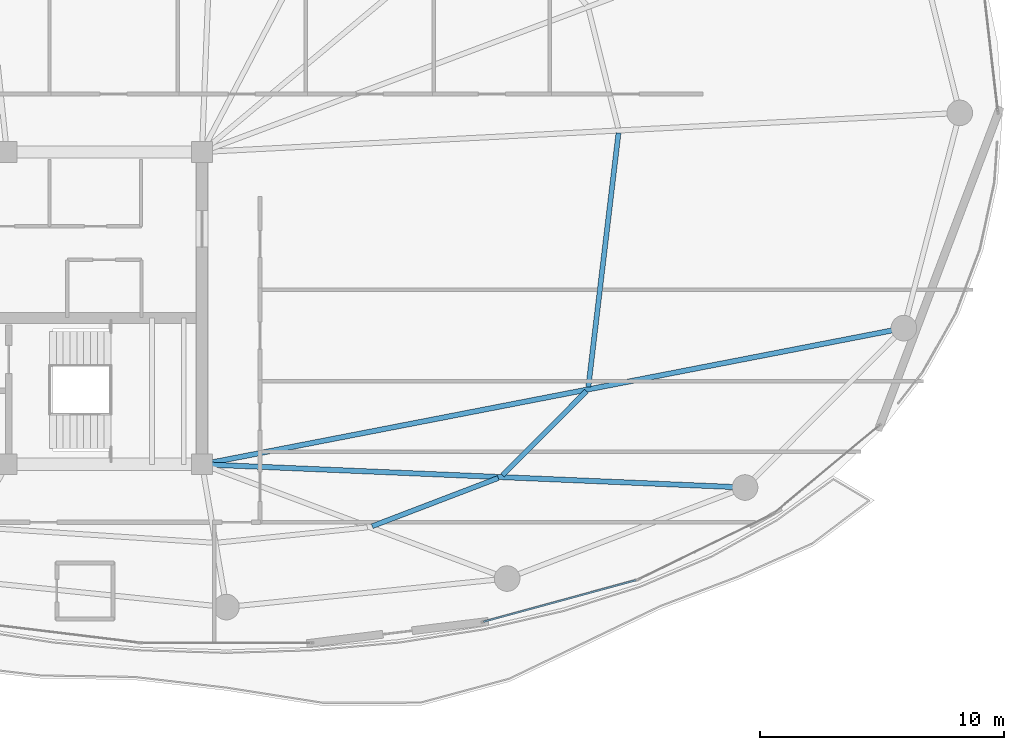
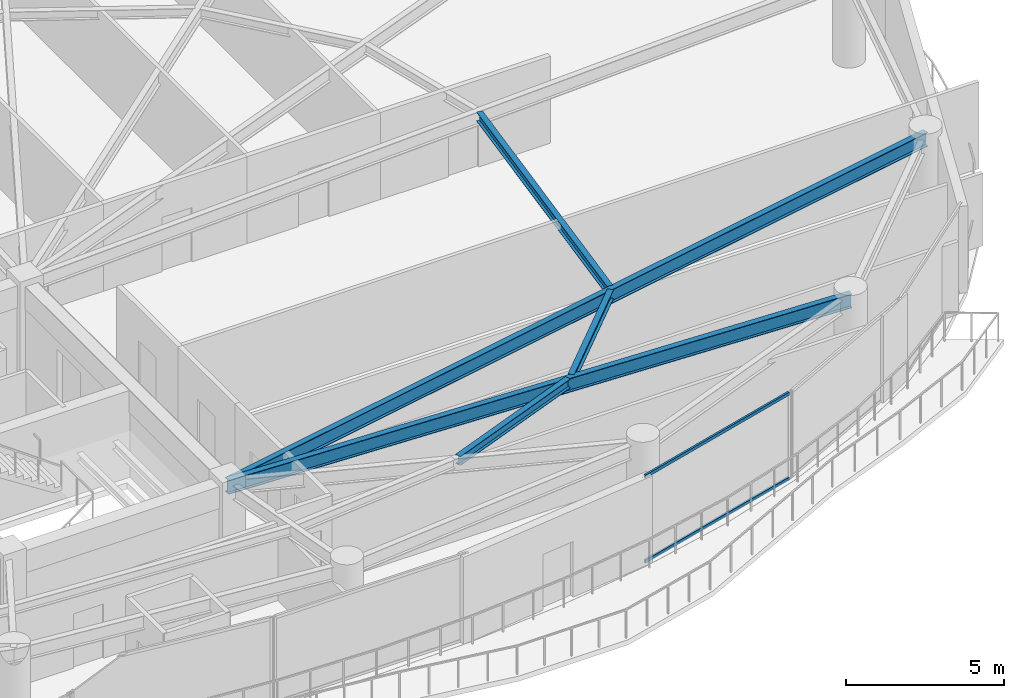
# One storey, part 12 of 31: 5 beams, 2 members, 1 element without a shape of its own.
"""IFC4 building model written with IfcOpenShell, lengths in metres."""

from ifc_helpers import new_model, si_unit, direction, frame, origin, origin_2d, place, context, subcontext, project, spatial, hollow_rectangle, i_section, extrude, material, layer, layer_set, material_profile, profile_set, type_object, element, aggregate, save


model = new_model("IFC4")

# Units and contexts
model_context = context("Model", 3, precision=1e-05, world=origin(), true_north=direction((0.0, 1.0)))
body_context = subcontext(model_context, "Body", "Model", "MODEL_VIEW")
ifc_project = project(units=[si_unit("LENGTHUNIT", "METRE"), si_unit("AREAUNIT", "SQUARE_METRE"), si_unit("VOLUMEUNIT", "CUBIC_METRE"), si_unit("PLANEANGLEUNIT", "RADIAN"), si_unit("MASSUNIT", "GRAM", prefix="KILO")], contexts=[model_context])

# Site, building, storey
site_placement = place(None, origin())
site = spatial("IfcSite", under=ifc_project, at=site_placement, CompositionType="ELEMENT")
building_placement = place(site_placement, origin())
building = spatial("IfcBuilding", under=site, at=building_placement, Name="Kazevale Care Tower and Concert Hall", CompositionType="ELEMENT")
storey_placement = place(building_placement, frame((0.0, 0.0, 235.199951171875)))
storey = spatial("IfcBuildingStorey", under=building, at=storey_placement, Name="L62", CompositionType="ELEMENT", Elevation=235.199951171875)

# Curtain wall, members
ifc_material_1 = material(Name="Aluminium 6063-T6 and Low-E Glass", Category="aluminium")
ifc_layer = layer(ifc_material_1, 0.179931640625)
ifc_layer_set = layer_set([ifc_layer], Name="Aluminium 6063-T6 and Low-E Glass")
curtain_wall_type = type_object("IfcCurtainWallType", Name="Sheltered Concave Balcony Curtain Wall CW-5", PredefinedType="NOTDEFINED", material=ifc_layer_set)
curtain_wall_placement = place(storey_placement, origin())
curtain_wall = element("IfcCurtainWall", 1, at=curtain_wall_placement, inside=storey, type_object=curtain_wall_type, Name="cw:L62:f04", PredefinedType="NOTDEFINED")
ifc_material_2 = material(Name="Aluminium 6063-T6", Category="aluminium")
ifc_material_profile_1 = material_profile(ifc_material_2, hollow_rectangle(XDim=0.074951171875, YDim=0.1201171875, WallThickness=0.00390625, at=origin_2d()), Name="ALU75x120x4")
ifc_profile_set_1 = profile_set([ifc_material_profile_1], Name="Aluminium 6063-T6")
member_type = type_object("IfcMemberType", Name="CW-5 Transom ALU75x120x4", PredefinedType="USERDEFINED", material=ifc_profile_set_1)
member_1_placement = place(storey_placement, frame((61.78369140625, 18.853271484375, 0.03759765625), z_axis=(-0.964843890632, -0.262823641842, 0.0), x_axis=(0.262823641842, -0.964843890632, 0.0)))
member_1 = element("IfcMember", 2, at=member_1_placement, type_object=member_type, Name="CW-5 transom 1.1", ObjectType="TRANSOM", PredefinedType="USERDEFINED", context=body_context, shape_type="SweptSolid", body=[
    extrude(hollow_rectangle(XDim=0.074951171875, YDim=0.1201171875, WallThickness=0.00390625, at=origin_2d()), origin(), (0.0, 0.0, 1.0), 6.469970703125),
])
member_2_placement = place(storey_placement, frame((61.78369140625, 18.853271484375, 3.322509765625), z_axis=(-0.964843890632, -0.262823641842, 0.0), x_axis=(0.262823641842, -0.964843890632, 0.0)))
member_2 = element("IfcMember", 3, at=member_2_placement, type_object=member_type, Name="CW-5 transom 1.2", ObjectType="TRANSOM", PredefinedType="USERDEFINED", context=body_context, shape_type="SweptSolid", body=[
    extrude(hollow_rectangle(XDim=0.074951171875, YDim=0.1201171875, WallThickness=0.00390625, at=origin_2d()), origin(), (0.0, 0.0, 1.0), 6.469970703125),
])
aggregate(curtain_wall, [member_1, member_2])

# Beams
ifc_material_3 = material(Name="Steel ASTM A572 Gr 50", Category="steel")
ifc_material_profile_2 = material_profile(ifc_material_3, i_section(OverallWidth=0.2119140625, OverallDepth=0.5439453125, WebThickness=0.01318359375, FlangeThickness=0.021240234375, at=origin_2d()), Name="W530x123")
ifc_profile_set_2 = profile_set([ifc_material_profile_2], Name="Steel ASTM A572 Gr 50")
beam_type_1 = type_object("IfcBeamType", Name="Radial Floor Girder W530x123", PredefinedType="BEAM", material=ifc_profile_set_2)
beam_1_placement = place(storey_placement, frame((44.0, 23.60009765625, 3.088134765625), z_axis=(0.999089369477, -0.042666518456, 0.0), x_axis=(0.042666518456, 0.999089369477, 0.0)))
element("IfcBeam", 4, at=beam_1_placement, inside=storey, type_object=beam_type_1, Name="beam:L62:rad:15", PredefinedType="BEAM", context=body_context, shape_type="SweptSolid", body=[
    extrude(i_section(OverallWidth=0.2119140625, OverallDepth=0.5439453125, WebThickness=0.01318359375, FlangeThickness=0.021240234375, at=origin_2d()), origin(), (0.0, 0.0, 1.0), 22.270263671875),
])
beam_2_placement = place(storey_placement, frame((44.0, 23.60009765625, 3.088134765625), z_axis=(0.981694544574, 0.190462125247, 0.0), x_axis=(-0.190462125247, 0.981694544574, 0.0)))
element("IfcBeam", 5, at=beam_2_placement, inside=storey, type_object=beam_type_1, Name="beam:L62:rad:16", PredefinedType="BEAM", context=body_context, shape_type="SweptSolid", body=[
    extrude(i_section(OverallWidth=0.2119140625, OverallDepth=0.5439453125, WebThickness=0.01318359375, FlangeThickness=0.021240234375, at=origin_2d()), origin(), (0.0, 0.0, 1.0), 29.29638671875),
])
ifc_material_profile_3 = material_profile(ifc_material_3, i_section(OverallWidth=0.205078125, OverallDepth=0.35400390625, WebThickness=0.009521484375, FlangeThickness=0.016845703125, at=origin_2d()), Name="W360x79")
ifc_profile_set_3 = profile_set([ifc_material_profile_3], Name="Steel ASTM A572 Gr 50")
beam_type_2 = type_object("IfcBeamType", Name="Secondary Floor Joist W360x79", PredefinedType="JOIST", material=ifc_profile_set_3)
beam_3_placement = place(storey_placement, frame((50.972900390625, 21.06396484375, 3.18310546875), z_axis=(0.934001589337, 0.35726884991, 0.0), x_axis=(-0.35726884991, 0.934001589337, 0.0)))
element("IfcBeam", 6, at=beam_3_placement, inside=storey, type_object=beam_type_2, Name="beam:L62:joist:14", PredefinedType="JOIST", context=body_context, shape_type="SweptSolid", body=[
    extrude(i_section(OverallWidth=0.205078125, OverallDepth=0.35400390625, WebThickness=0.009521484375, FlangeThickness=0.016845703125, at=origin_2d()), origin(), (0.0, 0.0, 1.0), 5.531005859375),
])
beam_4_placement = place(storey_placement, frame((56.31201171875, 23.152099609375, 3.18310546875), z_axis=(0.705975874919, 0.708235881633, 0.0), x_axis=(-0.708235881633, 0.705975874919, 0.0)))
element("IfcBeam", 7, at=beam_4_placement, inside=storey, type_object=beam_type_2, Name="beam:L62:joist:15", PredefinedType="JOIST", context=body_context, shape_type="SweptSolid", body=[
    extrude(i_section(OverallWidth=0.205078125, OverallDepth=0.35400390625, WebThickness=0.009521484375, FlangeThickness=0.016845703125, at=origin_2d()), origin(), (0.0, 0.0, 1.0), 4.861083984375),
])
beam_5_placement = place(storey_placement, frame((59.830078125, 26.77294921875, 3.18310546875), z_axis=(0.117874218468, 0.993028533639, 0.0), x_axis=(-0.993028533639, 0.117874218468, 0.0)))
element("IfcBeam", 8, at=beam_5_placement, inside=storey, type_object=beam_type_2, Name="beam:L62:joist:16", PredefinedType="JOIST", context=body_context, shape_type="SweptSolid", body=[
    extrude(i_section(OverallWidth=0.205078125, OverallDepth=0.35400390625, WebThickness=0.009521484375, FlangeThickness=0.016845703125, at=origin_2d()), origin(), (0.0, 0.0, 1.0), 10.47607421875),
])

save(model, "model.ifc")
